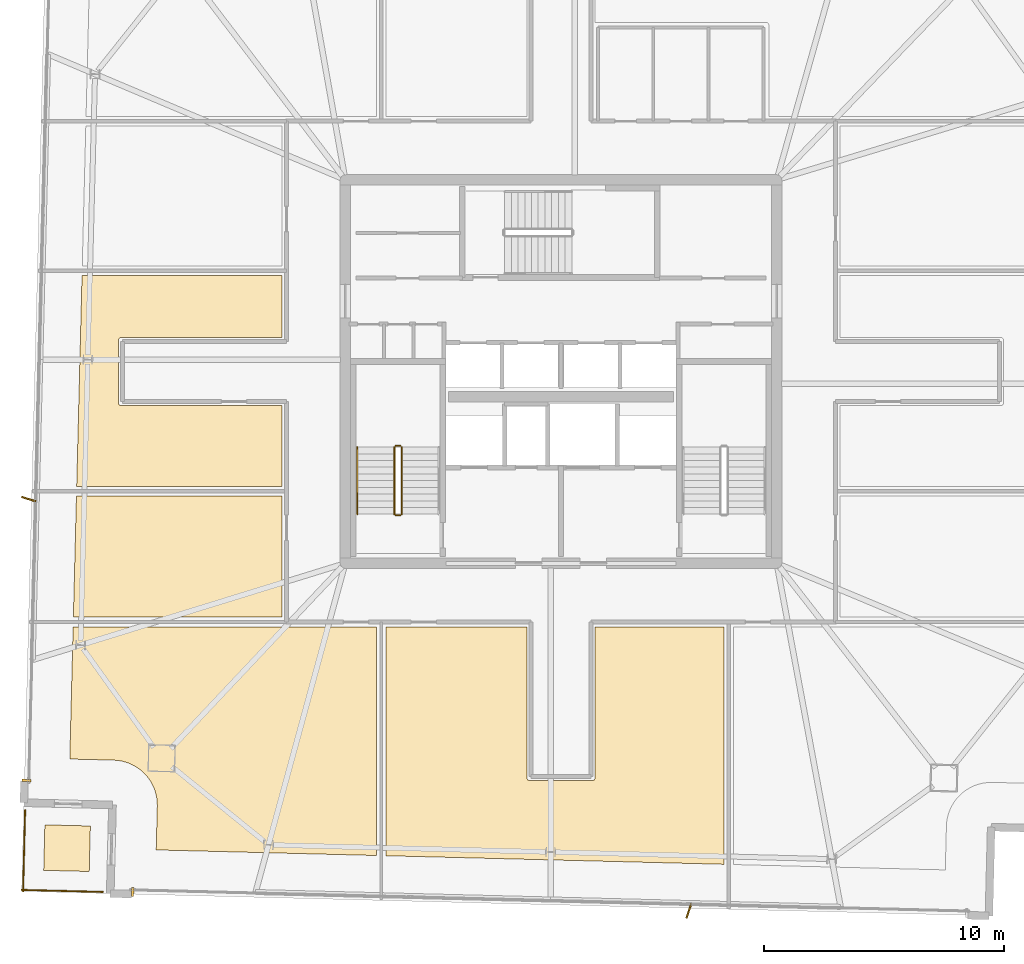
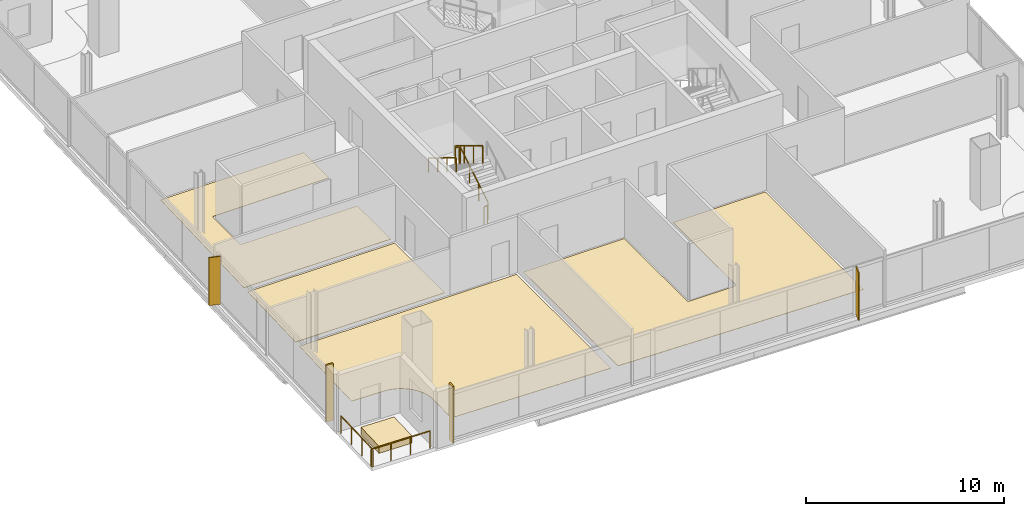
# One storey, part 23 of 25: 7 coverings, 7 railings, 2 shading devices.
"""IFC4 building model written with IfcOpenShell, lengths in metres."""

from ifc_helpers import new_model, si_unit, direction, frame, origin, origin_2d, place, context, subcontext, project, spatial, polyline, rectangle, outline, extrude, source, transform, mapped, material, layer, layer_set, type_object, element, save


model = new_model("IFC4")

# Units and contexts
model_context = context("Model", 3, precision=1e-05, world=origin(), true_north=direction((0.0, 1.0)))
body_context = subcontext(model_context, "Body", "Model", "MODEL_VIEW")
ifc_project = project(units=[si_unit("LENGTHUNIT", "METRE"), si_unit("AREAUNIT", "SQUARE_METRE"), si_unit("VOLUMEUNIT", "CUBIC_METRE"), si_unit("PLANEANGLEUNIT", "RADIAN"), si_unit("MASSUNIT", "GRAM", prefix="KILO")], contexts=[model_context])

# Site, building, storey
site_placement = place(None, origin())
site = spatial("IfcSite", under=ifc_project, at=site_placement, CompositionType="ELEMENT")
building_placement = place(site_placement, origin())
building = spatial("IfcBuilding", under=site, at=building_placement, Name="Haldenkirk Collegiate Tower", CompositionType="ELEMENT")
storey_placement = place(building_placement, frame((0.0, 0.0, 325.199951171875)))
storey = spatial("IfcBuildingStorey", under=building, at=storey_placement, Name="L82", CompositionType="ELEMENT", Elevation=325.199951171875)

# Coverings
ifc_material_1 = material(Name="Polished collegiate terrazzo", Category="concrete")
ifc_layer_1 = layer(ifc_material_1, 0.02490234375)
ifc_layer_set_1 = layer_set([ifc_layer_1], Name="Polished collegiate terrazzo")
covering_type_1 = type_object("IfcCoveringType", Name="COV-FLOOR-TERRAZZO", PredefinedType="FLOORING", material=ifc_layer_set_1)
covering_1_placement = place(storey_placement, origin())
element("IfcCovering", 1, at=covering_1_placement, inside=storey, type_object=covering_type_1, Name="L82 academic room finish 02", PredefinedType="FLOORING", context=body_context, shape_type="SweptSolid", body=[
    extrude(outline(polyline([(28.699951171875, 5.798095703125), (28.699951171875, 15.35009765625), (34.580078125, 15.35009765625), (34.580078125, 9.050048828125), (34.58056640625, 9.0380859375), (34.582275390625, 9.026611328125), (34.585205078125, 9.01513671875), (34.589111328125, 9.004150390625), (34.59423828125, 8.993408203125), (34.60009765625, 8.9833984375), (34.607177734375, 8.973876953125), (34.614990234375, 8.965087890625), (34.623779296875, 8.957275390625), (34.63330078125, 8.9501953125), (34.643310546875, 8.944091796875), (34.654052734375, 8.939208984375), (34.665283203125, 8.935302734375), (34.676513671875, 8.932373046875), (34.688232421875, 8.9306640625), (34.699951171875, 8.929931640625), (37.300048828125, 8.929931640625), (37.311767578125, 8.9306640625), (37.323486328125, 8.932373046875), (37.334716796875, 8.935302734375), (37.345947265625, 8.939208984375), (37.356689453125, 8.944091796875), (37.36669921875, 8.9501953125), (37.376220703125, 8.957275390625), (37.385009765625, 8.965087890625), (37.392822265625, 8.973876953125), (37.39990234375, 8.9833984375), (37.40576171875, 8.993408203125), (37.410888671875, 9.004150390625), (37.414794921875, 9.01513671875), (37.417724609375, 9.026611328125), (37.41943359375, 9.0380859375), (37.419921875, 9.050048828125), (37.419921875, 15.35009765625), (42.800048828125, 15.35009765625), (42.800048828125, 5.44140625), (28.699951171875, 5.798095703125)])), origin(), (0.0, 0.0, 1.0), 0.025146484375),
])
covering_2_placement = place(storey_placement, origin())
element("IfcCovering", 2, at=covering_2_placement, inside=storey, type_object=covering_type_1, Name="L82 academic room finish 06", PredefinedType="FLOORING", context=body_context, shape_type="SweptSolid", body=[
    extrude(outline(polyline([(15.781982421875, 20.800048828125), (24.35009765625, 20.800048828125), (24.35009765625, 15.75), (15.654052734375, 15.75), (15.781982421875, 20.800048828125)])), origin(), (0.0, 0.0, 1.0), 0.025146484375),
])
ifc_material_2 = material(Name="Engineered collegiate oak acoustic flooring", Category="wood")
ifc_layer_2 = layer(ifc_material_2, 0.02197265625)
ifc_layer_set_2 = layer_set([ifc_layer_2], Name="Engineered collegiate oak acoustic flooring")
covering_type_2 = type_object("IfcCoveringType", Name="COV-FLOOR-TIMBER", PredefinedType="FLOORING", material=ifc_layer_set_2)
covering_3_placement = place(storey_placement, origin())
element("IfcCovering", 3, at=covering_3_placement, inside=storey, type_object=covering_type_2, Name="L82 academic room finish 01", PredefinedType="FLOORING", context=body_context, shape_type="SweptSolid", body=[
    extrude(outline(polyline([(19.109619140625, 6.041015625), (19.15576171875, 7.870361328125), (19.15576171875, 7.876220703125), (19.15185546875, 8.0478515625), (19.15087890625, 8.059814453125), (19.1298828125, 8.230224609375), (19.1279296875, 8.24169921875), (19.090576171875, 8.409423828125), (19.08740234375, 8.4208984375), (19.03369140625, 8.583984375), (19.029296875, 8.594970703125), (18.959716796875, 8.751953125), (18.95458984375, 8.76220703125), (18.8701171875, 8.911865234375), (18.86376953125, 8.921875), (18.764892578125, 9.062255859375), (18.7578125, 9.071533203125), (18.645751953125, 9.20166015625), (18.6376953125, 9.210205078125), (18.51318359375, 9.328857421875), (18.50439453125, 9.33642578125), (18.369140625, 9.442138671875), (18.359619140625, 9.448974609375), (18.214599609375, 9.541015625), (18.2041015625, 9.546875), (18.05078125, 9.624267578125), (18.0400390625, 9.62890625), (17.8798828125, 9.69091796875), (17.868896484375, 9.694580078125), (17.703369140625, 9.740478515625), (17.69189453125, 9.7431640625), (17.522705078125, 9.772705078125), (17.510986328125, 9.774169921875), (17.339599609375, 9.786865234375), (17.333740234375, 9.787109375), (15.50439453125, 9.83349609375), (15.64404296875, 15.35009765625), (28.300048828125, 15.35009765625), (28.300048828125, 5.808349609375), (19.109619140625, 6.041015625)])), origin(), (0.0, 0.0, 1.0), 0.02197265625),
])
covering_4_placement = place(storey_placement, origin())
element("IfcCovering", 4, at=covering_4_placement, inside=storey, type_object=covering_type_2, Name="L82 academic room finish 07", PredefinedType="FLOORING", context=body_context, shape_type="SweptSolid", body=[
    extrude(outline(polyline([(17.64990234375, 27.419921875), (17.63818359375, 27.41943359375), (17.626708984375, 27.417724609375), (17.615234375, 27.414794921875), (17.60400390625, 27.410888671875), (17.593505859375, 27.40576171875), (17.583251953125, 27.39990234375), (17.573974609375, 27.392822265625), (17.565185546875, 27.385009765625), (17.55712890625, 27.376220703125), (17.55029296875, 27.36669921875), (17.544189453125, 27.356689453125), (17.5390625, 27.345947265625), (17.53515625, 27.334716796875), (17.5322265625, 27.323486328125), (17.530517578125, 27.311767578125), (17.530029296875, 27.300048828125), (17.530029296875, 24.699951171875), (17.530517578125, 24.688232421875), (17.5322265625, 24.676513671875), (17.53515625, 24.665283203125), (17.5390625, 24.654052734375), (17.544189453125, 24.643310546875), (17.55029296875, 24.63330078125), (17.55712890625, 24.623779296875), (17.565185546875, 24.614990234375), (17.573974609375, 24.607177734375), (17.583251953125, 24.60009765625), (17.593505859375, 24.59423828125), (17.60400390625, 24.589111328125), (17.615234375, 24.585205078125), (17.626708984375, 24.582275390625), (17.63818359375, 24.58056640625), (17.64990234375, 24.580078125), (24.35009765625, 24.580078125), (24.35009765625, 21.199951171875), (15.7919921875, 21.199951171875), (16.014892578125, 30.0), (24.35009765625, 30.0), (24.35009765625, 27.419921875), (17.64990234375, 27.419921875)])), origin(), (0.0, 0.0, 1.0), 0.02197265625),
])
ifc_material_3 = material(Name="Precast concrete f'c 40 MPa", Category="concrete")
ifc_layer_3 = layer(ifc_material_3, 0.449951171875)
ifc_layer_set_3 = layer_set([ifc_layer_3], Name="Precast concrete f'c 40 MPa")
covering_type_3 = type_object("IfcCoveringType", Name="COV-PLANTER-450", PredefinedType="USERDEFINED", material=ifc_layer_set_3)
covering_5_placement = place(storey_placement, origin())
element("IfcCovering", 5, at=covering_5_placement, inside=storey, type_object=covering_type_3, Name="L82 planted garden planter bed", ObjectType="PLANTER", PredefinedType="USERDEFINED", context=body_context, shape_type="SweptSolid", body=[
    extrude(outline(polyline([(16.31591796875, 5.141357421875), (14.41650390625, 5.189453125), (14.464599609375, 7.0888671875), (16.364013671875, 7.040771484375), (16.31591796875, 5.141357421875)])), origin(), (0.0, 0.0, 1.0), 0.449951171875),
])

# Railings
ifc_material_4 = material(Name="Painted architectural tubular steel", Category="steel")
railing_type_1 = type_object("IfcRailingType", Name="RLG-STAIR-GUARD-1100", PredefinedType="BALUSTRADE", material=ifc_material_4)
railing_1_placement = place(storey_placement, frame((29.35009765625, 20.050048828125, 0.17041015625)))
element("IfcRailing", 6, at=railing_1_placement, inside=storey, type_object=railing_type_1, Name="L82 ST-1 stair guard 1", PredefinedType="BALUSTRADE", context=body_context, shape_type="SweptSolid", body=[
    extrude(rectangle(XDim=0.048095703125, YDim=0.048095703125, at=origin_2d()), frame((0.0, 0.0, 1.076171875), z_axis=(0.0, 0.854169791009, 0.51999420009), x_axis=(-1.0, 0.0, 0.0)), (0.0, 0.0, 1.0), 3.278076171875),
    extrude(rectangle(XDim=0.0419921875, YDim=0.0419921875, at=origin_2d()), origin(), (0.0, 0.0, 1.0), 1.052001953125),
    extrude(rectangle(XDim=0.0419921875, YDim=0.0419921875, at=origin_2d()), frame((0.0, 0.933349609375, 0.568115234375)), (0.0, 0.0, 1.0), 1.052001953125),
    extrude(rectangle(XDim=0.0419921875, YDim=0.0419921875, at=origin_2d()), frame((0.0, 1.86669921875, 1.136474609375)), (0.0, 0.0, 1.0), 1.052001953125),
    extrude(rectangle(XDim=0.0419921875, YDim=0.0419921875, at=origin_2d()), frame((0.0, 2.800048828125, 1.70458984375)), (0.0, 0.0, 1.0), 1.052001953125),
])
railing_2_placement = place(storey_placement, frame((29.300048828125, 22.89990234375, 1.875)))
element("IfcRailing", 7, at=railing_2_placement, inside=storey, type_object=railing_type_1, Name="L82 ST-1 stair guard 2", PredefinedType="BALUSTRADE", context=body_context, shape_type="SweptSolid", body=[
    extrude(rectangle(XDim=0.048095703125, YDim=0.048095703125, at=origin_2d()), frame((0.0, 0.0, 1.076171875), z_axis=(-1.0, 0.0, 0.0), x_axis=(0.0, -1.0, 0.0)), (0.0, 0.0, 1.0), 0.199951171875),
    extrude(rectangle(XDim=0.0419921875, YDim=0.0419921875, at=origin_2d()), origin(), (0.0, 0.0, 1.0), 1.052001953125),
    extrude(rectangle(XDim=0.0419921875, YDim=0.0419921875, at=origin_2d()), frame((-0.199951171875, 0.0, 0.0)), (0.0, 0.0, 1.0), 1.052001953125),
])
railing_3_placement = place(storey_placement, frame((29.050048828125, 22.85009765625, 2.04541015625)))
element("IfcRailing", 8, at=railing_3_placement, inside=storey, type_object=railing_type_1, Name="L82 ST-1 stair guard 3", PredefinedType="BALUSTRADE", context=body_context, shape_type="SweptSolid", body=[
    extrude(rectangle(XDim=0.048095703125, YDim=0.048095703125, at=origin_2d()), frame((0.0, 0.0, 1.076171875), z_axis=(0.0, -0.854169791009, 0.51999420009), x_axis=(1.0, 0.0, 0.0)), (0.0, 0.0, 1.0), 3.278076171875),
    extrude(rectangle(XDim=0.0419921875, YDim=0.0419921875, at=origin_2d()), origin(), (0.0, 0.0, 1.0), 1.052001953125),
    extrude(rectangle(XDim=0.0419921875, YDim=0.0419921875, at=origin_2d()), frame((0.0, -0.933349609375, 0.568115234375)), (0.0, 0.0, 1.0), 1.052001953125),
    extrude(rectangle(XDim=0.0419921875, YDim=0.0419921875, at=origin_2d()), frame((0.0, -1.86669921875, 1.136474609375)), (0.0, 0.0, 1.0), 1.052001953125),
    extrude(rectangle(XDim=0.0419921875, YDim=0.0419921875, at=origin_2d()), frame((0.0, -2.800048828125, 1.70458984375)), (0.0, 0.0, 1.0), 1.052001953125),
])
railing_4_placement = place(storey_placement, frame((29.300048828125, 20.0, 0.0)))
element("IfcRailing", 9, at=railing_4_placement, inside=storey, type_object=railing_type_1, Name="L82 ST-1 stair guard 4", PredefinedType="BALUSTRADE", context=body_context, shape_type="SweptSolid", body=[
    extrude(rectangle(XDim=0.048095703125, YDim=0.048095703125, at=origin_2d()), frame((0.0, 0.0, 1.076171875), z_axis=(-1.0, 0.0, 0.0), x_axis=(0.0, -1.0, 0.0)), (0.0, 0.0, 1.0), 0.199951171875),
    extrude(rectangle(XDim=0.0419921875, YDim=0.0419921875, at=origin_2d()), origin(), (0.0, 0.0, 1.0), 1.052001953125),
    extrude(rectangle(XDim=0.0419921875, YDim=0.0419921875, at=origin_2d()), frame((-0.199951171875, 0.0, 0.0)), (0.0, 0.0, 1.0), 1.052001953125),
])
railing_type_2 = type_object("IfcRailingType", Name="RLG-STAIR-HANDRAIL-900", PredefinedType="HANDRAIL", material=ifc_material_4)
railing_5_placement = place(storey_placement, frame((27.5, 22.85009765625, 2.04541015625)))
element("IfcRailing", 10, at=railing_5_placement, inside=storey, type_object=railing_type_2, Name="L82 ST-1 stair handrail 2", PredefinedType="HANDRAIL", context=body_context, shape_type="SweptSolid", body=[
    extrude(rectangle(XDim=0.048095703125, YDim=0.048095703125, at=origin_2d()), frame((0.0, 0.0, 0.8759765625), z_axis=(0.0, -0.854169791009, 0.51999420009), x_axis=(1.0, 0.0, 0.0)), (0.0, 0.0, 1.0), 3.278076171875),
    extrude(rectangle(XDim=0.0419921875, YDim=0.0419921875, at=origin_2d()), origin(), (0.0, 0.0, 1.0), 0.851806640625),
    extrude(rectangle(XDim=0.0419921875, YDim=0.0419921875, at=origin_2d()), frame((0.0, -0.933349609375, 0.568115234375)), (0.0, 0.0, 1.0), 0.851806640625),
    extrude(rectangle(XDim=0.0419921875, YDim=0.0419921875, at=origin_2d()), frame((0.0, -1.86669921875, 1.136474609375)), (0.0, 0.0, 1.0), 0.851806640625),
    extrude(rectangle(XDim=0.0419921875, YDim=0.0419921875, at=origin_2d()), frame((0.0, -2.800048828125, 1.70458984375)), (0.0, 0.0, 1.0), 0.851806640625),
])
ifc_material_5 = material(Name="Anodised architectural bronze aluminium", Category="aluminium")
railing_type_3 = type_object("IfcRailingType", Name="RLG-TERR-BALUSTRADE-1100", PredefinedType="BALUSTRADE", material=ifc_material_5)
railing_6_placement = place(storey_placement, frame((13.639404296875, 7.68994140625, 0.0)))
element("IfcRailing", 11, at=railing_6_placement, inside=storey, type_object=railing_type_3, Name="L82 terrace guard balustrade 3-1", PredefinedType="BALUSTRADE", context=body_context, shape_type="SweptSolid", body=[
    extrude(rectangle(XDim=0.048095703125, YDim=0.048095703125, at=origin_2d()), frame((0.0, 0.0, 1.076171875), z_axis=(-0.025280934619, -0.999680386096, 0.0), x_axis=(0.999680386096, -0.025280934619, 0.0)), (0.0, 0.0, 1.0), 3.3798828125),
    extrude(rectangle(XDim=0.0419921875, YDim=0.0419921875, at=origin_2d()), origin(), (0.0, 0.0, 1.0), 1.052001953125),
    extrude(rectangle(XDim=0.0419921875, YDim=0.0419921875, at=origin_2d()), frame((-0.028564453125, -1.126220703125, 0.0)), (0.0, 0.0, 1.0), 1.052001953125),
    extrude(rectangle(XDim=0.0419921875, YDim=0.0419921875, at=origin_2d()), frame((-0.056884765625, -2.252685546875, 0.0)), (0.0, 0.0, 1.0), 1.052001953125),
    extrude(rectangle(XDim=0.0419921875, YDim=0.0419921875, at=origin_2d()), frame((-0.08544921875, -3.37890625, 0.0)), (0.0, 0.0, 1.0), 1.052001953125),
])
railing_7_placement = place(storey_placement, frame((13.49560546875, 4.37255859375, 0.0)))
element("IfcRailing", 12, at=railing_7_placement, inside=storey, type_object=railing_type_3, Name="L82 terrace guard balustrade 4-1", PredefinedType="BALUSTRADE", context=body_context, shape_type="SweptSolid", body=[
    extrude(rectangle(XDim=0.048095703125, YDim=0.048095703125, at=origin_2d()), frame((0.0, 0.0, 1.076171875), z_axis=(0.999680386096, -0.025280934619, 0.0), x_axis=(0.025280934619, 0.999680386096, 0.0)), (0.0, 0.0, 1.0), 3.3798828125),
    extrude(rectangle(XDim=0.0419921875, YDim=0.0419921875, at=origin_2d()), origin(), (0.0, 0.0, 1.0), 1.052001953125),
    extrude(rectangle(XDim=0.0419921875, YDim=0.0419921875, at=origin_2d()), frame((1.126220703125, -0.028564453125, 0.0)), (0.0, 0.0, 1.0), 1.052001953125),
    extrude(rectangle(XDim=0.0419921875, YDim=0.0419921875, at=origin_2d()), frame((2.252685546875, -0.056884765625, 0.0)), (0.0, 0.0, 1.0), 1.052001953125),
    extrude(rectangle(XDim=0.0419921875, YDim=0.0419921875, at=origin_2d()), frame((3.37890625, -0.08544921875, 0.0)), (0.0, 0.0, 1.0), 1.052001953125),
])

# Coverings
ifc_layer_4 = layer(ifc_material_5, 0.06005859375)
ifc_layer_set_4 = layer_set([ifc_layer_4], Name="Anodised architectural bronze aluminium")
covering_type_4 = type_object("IfcCoveringType", Name="COV-CLAD-BRONZE-60", PredefinedType="CLADDING", material=ifc_layer_set_4)
shared_shape_1 = source(origin(), body_context, "Body", "SweptSolid", [
    extrude(rectangle(XDim=0.10009765625, YDim=0.3798828125, at=origin_2d()), origin(), (0.0, 0.0, 1.0), 3.489990234375),
])
for number, where, z_axis, x_axis, name in (
    (13, (13.701171875, 8.938720703125, 0.0), (0.0, 0.0, 1.0), (0.025304572866, 0.999679788028, 0.0), "L82 recessed curtain-wall bronze jamb closure NJL"),
    (14, (18.124755859375, 4.285400390625, 0.0), (0.0, 0.0, 1.0), (-0.999679788028, 0.025304572866, 0.0), "L82 recessed curtain-wall bronze jamb closure WJR"),
):
    element("IfcCovering", number, at=place(storey_placement, frame(where, z_axis=z_axis, x_axis=x_axis)), inside=storey, type_object=covering_type_4, Name=name, PredefinedType="CLADDING", context=body_context, shape_type="MappedRepresentation", body=[
        mapped(shared_shape_1, transform((0.0, 0.0, 0.0), x_axis=(1.0, 0.0, 0.0), y_axis=(0.0, 1.0, 0.0), z_axis=(0.0, 0.0, 1.0), scale=1.0)),
    ])

# Shading devices
ifc_layer_5 = layer(ifc_material_5, 0.06494140625)
ifc_layer_set_5 = layer_set([ifc_layer_5], Name="Anodised architectural bronze aluminium")
shading_device_type = type_object("IfcShadingDeviceType", Name="SHD-FIN-BRONZE-620", PredefinedType="USERDEFINED", material=ifc_layer_set_5)
shared_shape_2 = source(origin(), body_context, "Body", "SweptSolid", [
    extrude(rectangle(XDim=0.6201171875, YDim=0.06494140625, at=origin_2d()), origin(), (0.0, 0.0, 1.0), 2.947998046875),
])
for number, where, z_axis, x_axis, name in (
    (15, (13.793212890625, 20.677001953125, 0.0), (0.0, 0.0, 1.0), (-0.953979002881, 0.299873410064, 0.0), "L82 folded bronze solar fin 1"),
    (16, (41.332275390625, 3.492919921875, 0.0), (0.0, 0.0, 1.0), (-0.299873410064, -0.953979002881, 0.0), "L82 folded bronze solar fin 1"),
):
    element("IfcShadingDevice", number, at=place(storey_placement, frame(where, z_axis=z_axis, x_axis=x_axis)), inside=storey, type_object=shading_device_type, Name=name, ObjectType="FIN", PredefinedType="USERDEFINED", context=body_context, shape_type="MappedRepresentation", body=[
        mapped(shared_shape_2, transform((0.0, 0.0, 0.0), x_axis=(1.0, 0.0, 0.0), y_axis=(0.0, 1.0, 0.0), z_axis=(0.0, 0.0, 1.0), scale=1.0)),
    ])

save(model, "model.ifc")
